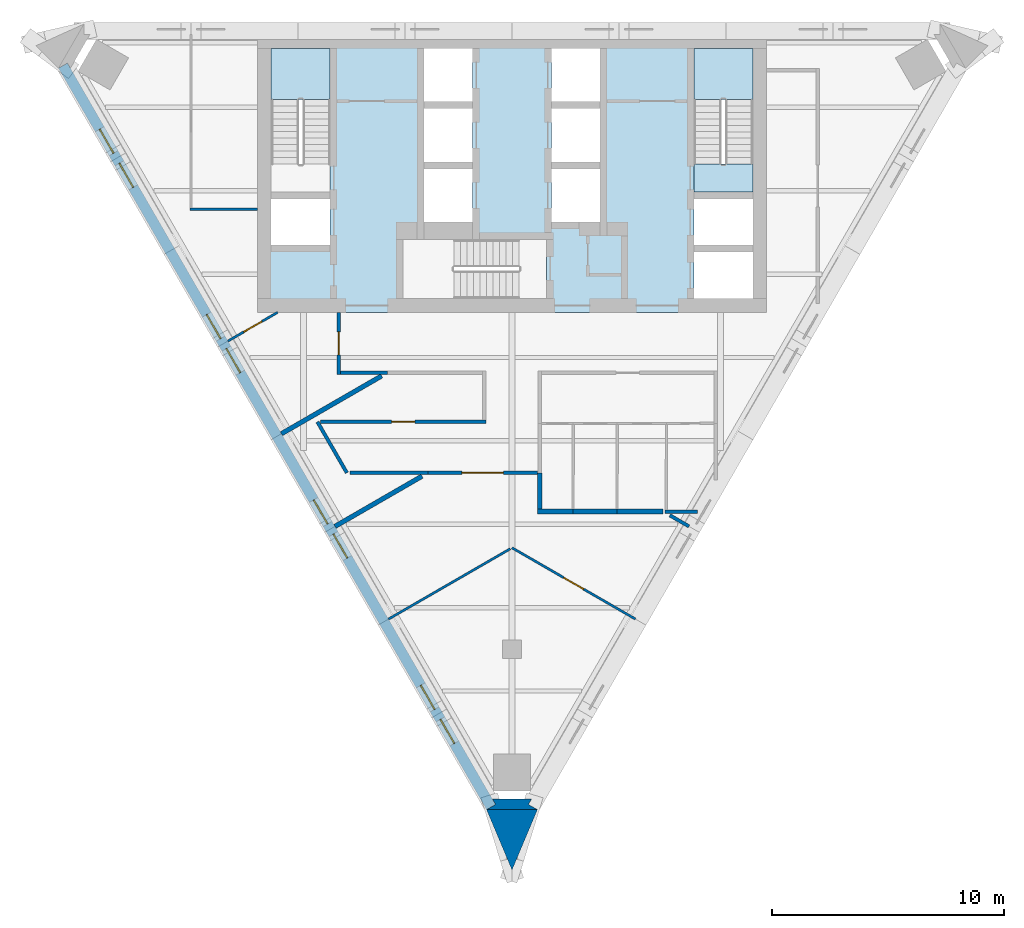
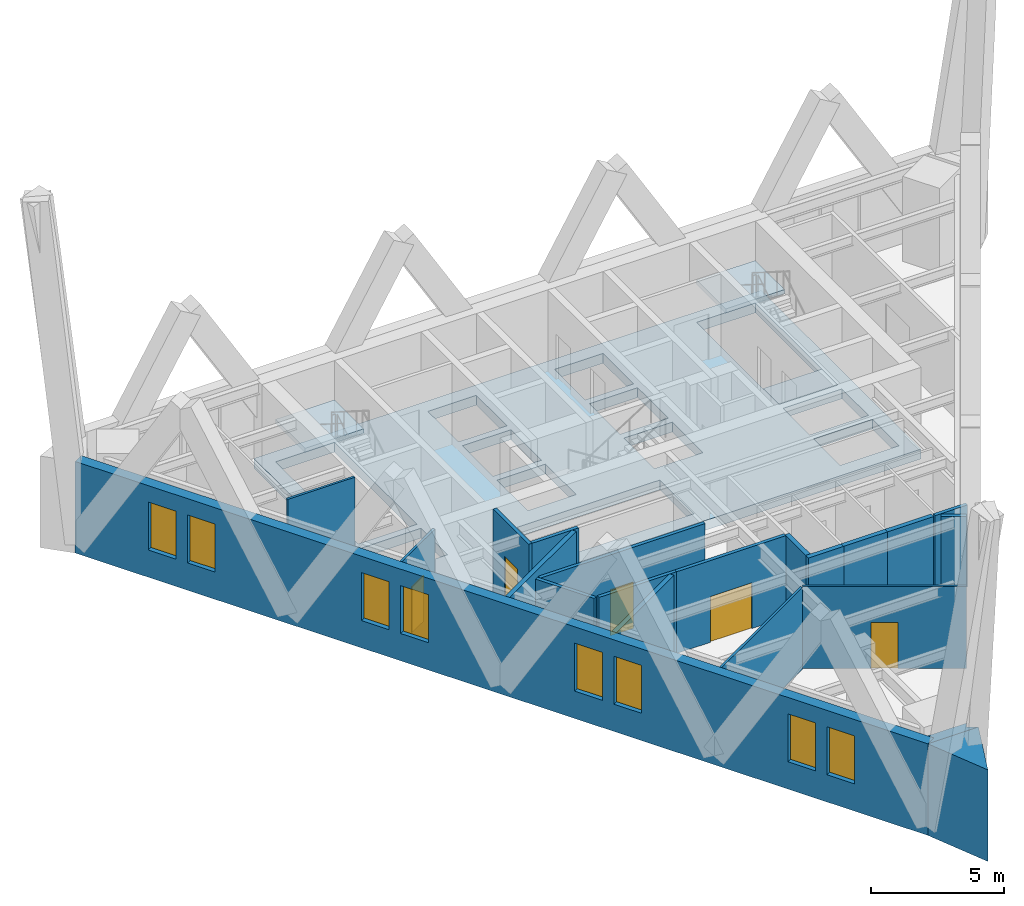
# One storey, part 2 of 6: 21 walls, 8 windows, 5 doors, 4 slabs, 13 openings, 2 elements without a shape of their own.
"""IFC4 building model written with IfcOpenShell, lengths in metres."""

from ifc_helpers import new_model, si_unit, direction, frame, frame_2d, origin, place, context, subcontext, project, spatial, polyline, rectangle, outline, extrude, material, layer, layer_set, type_object, element, fill, aggregate, save


model = new_model("IFC4")

# Units and contexts
model_context = context("Model", 3, precision=1e-05, world=origin(), true_north=direction((0.0, 1.0)))
body_context = subcontext(model_context, "Body", "Model", "MODEL_VIEW")
ifc_project = project(units=[si_unit("LENGTHUNIT", "METRE"), si_unit("AREAUNIT", "SQUARE_METRE"), si_unit("VOLUMEUNIT", "CUBIC_METRE"), si_unit("PLANEANGLEUNIT", "RADIAN"), si_unit("MASSUNIT", "GRAM", prefix="KILO")], contexts=[model_context])

# Site, building, storey
site_placement = place(None, origin())
site = spatial("IfcSite", under=ifc_project, at=site_placement, CompositionType="ELEMENT")
building_placement = place(site_placement, origin())
building = spatial("IfcBuilding", under=site, at=building_placement, Name="Aloe Facet Convention Tower", CompositionType="ELEMENT")
storey_placement = place(building_placement, frame((0.0, 0.0, 238.699951171875)))
storey = spatial("IfcBuildingStorey", under=building, at=storey_placement, Name="L58", CompositionType="ELEMENT", Elevation=238.699951171875)

# Slabs
ifc_material_1 = material(Name="Concrete C50/60", Category="concrete")
ifc_layer_1 = layer(ifc_material_1, 0.449951171875)
ifc_layer_set_1 = layer_set([ifc_layer_1], Name="CR-S-FLOOR450-C5060")
slab_type_1 = type_object("IfcSlabType", Name="CR-S-FLOOR450-C5060", PredefinedType="FLOOR", material=ifc_layer_set_1)
slab_1_placement = place(storey_placement, frame((0.0, 0.0, -0.449951171875)))
element("IfcSlab", 1, at=slab_1_placement, inside=storey, type_object=slab_type_1, Name="Stair landing floor L58", PredefinedType="FLOOR", context=body_context, shape_type="SweptSolid", body=[
    extrude(outline(polyline([(90.39990234375, 127.75), (90.39990234375, 128.951171875), (87.85009765625, 128.951171875), (87.85009765625, 127.75), (90.39990234375, 127.75)])), origin(), (0.0, 0.0, 1.0), 0.449951171875),
])
slab_2_placement = place(storey_placement, frame((0.0, 0.0, -0.449951171875)))
element("IfcSlab", 2, at=slab_2_placement, inside=storey, type_object=slab_type_1, Name="Core floor L58", PredefinedType="FLOOR", context=body_context, shape_type="SweptSolid", body=[
    extrude(outline(polyline([(71.85009765625, 134.550048828125), (72.75, 134.550048828125), (75.60009765625, 134.550048828125), (76.5, 134.550048828125), (78.0, 134.550048828125), (78.89990234375, 134.550048828125), (81.10009765625, 134.550048828125), (82.0, 134.550048828125), (83.5, 134.550048828125), (84.39990234375, 134.550048828125), (87.25, 134.550048828125), (88.14990234375, 134.550048828125), (91.0, 134.550048828125), (91.0, 128.050048828125), (91.0, 127.14990234375), (91.0, 125.75), (91.0, 124.85009765625), (91.0, 122.550048828125), (88.14990234375, 122.550048828125), (87.25, 122.550048828125), (85.300048828125, 122.550048828125), (84.39990234375, 122.550048828125), (82.10009765625, 122.550048828125), (81.199951171875, 122.550048828125), (75.60009765625, 122.550048828125), (74.699951171875, 122.550048828125), (72.75, 122.550048828125), (71.85009765625, 122.550048828125), (69.0, 122.550048828125), (69.0, 124.85009765625), (69.0, 125.75), (69.0, 127.14990234375), (69.0, 128.050048828125), (69.0, 134.550048828125), (71.85009765625, 134.550048828125)]), holes=[polyline([(80.298828125, 123.14990234375), (81.5, 123.14990234375), (81.5, 125.699951171875), (80.298828125, 125.699951171875), (75.300048828125, 125.699951171875), (75.300048828125, 123.14990234375), (80.298828125, 123.14990234375)]), polyline([(69.60009765625, 125.449951171875), (72.14990234375, 125.449951171875), (72.14990234375, 127.449951171875), (69.60009765625, 127.449951171875), (69.60009765625, 125.449951171875)]), polyline([(76.199951171875, 126.449951171875), (78.300048828125, 126.449951171875), (78.300048828125, 128.75), (76.199951171875, 128.75), (76.199951171875, 126.449951171875)]), polyline([(78.300048828125, 129.050048828125), (78.300048828125, 131.35009765625), (76.199951171875, 131.35009765625), (76.199951171875, 129.050048828125), (78.300048828125, 129.050048828125)]), polyline([(69.60009765625, 133.949951171875), (69.60009765625, 128.951171875), (69.60009765625, 127.75), (72.14990234375, 127.75), (72.14990234375, 128.951171875), (72.14990234375, 133.949951171875), (69.60009765625, 133.949951171875)]), polyline([(76.199951171875, 131.64990234375), (78.300048828125, 131.64990234375), (78.300048828125, 133.949951171875), (76.199951171875, 133.949951171875), (76.199951171875, 131.64990234375)]), polyline([(90.39990234375, 123.14990234375), (90.39990234375, 125.14990234375), (87.85009765625, 125.14990234375), (87.85009765625, 123.14990234375), (90.39990234375, 123.14990234375)]), polyline([(87.85009765625, 125.449951171875), (90.39990234375, 125.449951171875), (90.39990234375, 127.449951171875), (87.85009765625, 127.449951171875), (87.85009765625, 125.449951171875)]), polyline([(81.699951171875, 126.449951171875), (83.800048828125, 126.449951171875), (83.800048828125, 128.75), (81.699951171875, 128.75), (81.699951171875, 126.449951171875)]), polyline([(83.800048828125, 129.050048828125), (83.800048828125, 131.35009765625), (81.699951171875, 131.35009765625), (81.699951171875, 129.050048828125), (83.800048828125, 129.050048828125)]), polyline([(87.85009765625, 133.949951171875), (87.85009765625, 128.951171875), (87.85009765625, 127.75), (90.39990234375, 127.75), (90.39990234375, 128.951171875), (90.39990234375, 133.949951171875), (87.85009765625, 133.949951171875)]), polyline([(81.699951171875, 131.64990234375), (83.800048828125, 131.64990234375), (83.800048828125, 133.949951171875), (81.699951171875, 133.949951171875), (81.699951171875, 131.64990234375)])]), origin(), (0.0, 0.0, 1.0), 0.449951171875),
])

# Stair, slab
ifc_material_2 = material(Name="Concrete C50/60", Category="concrete")
stair_type = type_object("IfcStairType", Name="CR-ST-22R", PredefinedType="HALF_TURN_STAIR", material=ifc_material_2)
stair_1_placement = place(storey_placement, origin())
stair_1 = element("IfcStair", 3, at=stair_1_placement, inside=storey, type_object=stair_type, Name="L58 Protected exit stair ST1", PredefinedType="HALF_TURN_STAIR")
ifc_material_3 = material(Name="Concrete C50/60", Category="concrete")
ifc_layer_2 = layer(ifc_material_3, 0.199951171875)
ifc_layer_set_2 = layer_set([ifc_layer_2], Name="CR-SL-LANDING")
slab_type_2 = type_object("IfcSlabType", Name="CR-SL-LANDING", PredefinedType="LANDING", material=ifc_layer_set_2)
slab_3_placement = place(storey_placement, frame((0.0, 0.0, 1.75)))
slab_3 = element("IfcSlab", 4, at=slab_3_placement, type_object=slab_type_2, Name="ST1 landing 1", PredefinedType="LANDING", context=body_context, shape_type="SweptSolid", body=[
    extrude(outline(polyline([(72.14990234375, 131.75), (72.14990234375, 133.949951171875), (69.60009765625, 133.949951171875), (69.60009765625, 131.75), (72.14990234375, 131.75)])), origin(), (0.0, 0.0, 1.0), 0.199951171875),
])
aggregate(stair_1, [slab_3])

stair_2_placement = place(storey_placement, origin())
stair_2 = element("IfcStair", 5, at=stair_2_placement, inside=storey, type_object=stair_type, Name="L58 Protected exit stair ST2", PredefinedType="HALF_TURN_STAIR")
slab_4_placement = place(storey_placement, frame((0.0, 0.0, 1.75)))
slab_4 = element("IfcSlab", 6, at=slab_4_placement, type_object=slab_type_2, Name="ST2 landing 1", PredefinedType="LANDING", context=body_context, shape_type="SweptSolid", body=[
    extrude(outline(polyline([(90.39990234375, 131.75), (90.39990234375, 133.949951171875), (87.85009765625, 133.949951171875), (87.85009765625, 131.75), (90.39990234375, 131.75)])), origin(), (0.0, 0.0, 1.0), 0.199951171875),
])
aggregate(stair_2, [slab_4])

# Walls
ifc_material_4 = material(Name="Precast concrete C40/50", Category="concrete")
ifc_layer_3 = layer(ifc_material_4, 0.449951171875)
ifc_layer_set_3 = layer_set([ifc_layer_3], Name="EV-WALL-PIER")
wall_type_1 = type_object("IfcWallType", Name="EV-WALL-PIER", PredefinedType="SOLIDWALL", material=ifc_layer_set_3)
wall_1_placement = place(storey_placement, frame((0.0, 0.0, -0.449951171875)))
element("IfcWall", 7, at=wall_1_placement, inside=storey, type_object=wall_type_1, Name="EP-L58-B", PredefinedType="SOLIDWALL", context=body_context, shape_type="SweptSolid", body=[
    extrude(outline(polyline([(78.89990234375, 101.07568359375), (79.289794921875, 101.30078125), (79.159912109375, 101.52587890625), (80.840087890625, 101.52587890625), (80.710205078125, 101.30078125), (81.10009765625, 101.07568359375), (78.89990234375, 101.07568359375)])), origin(), (0.0, 0.0, 1.0), 4.199951171875),
])
ifc_material_5 = material(Name="Precast concrete C40/50", Category="concrete")
ifc_layer_4 = layer(ifc_material_5, 3.947998046875)
ifc_layer_set_4 = layer_set([ifc_layer_4], Name="EV-WALL-SPINE")
wall_type_2 = type_object("IfcWallType", Name="EV-WALL-SPINE", PredefinedType="SOLIDWALL", material=ifc_layer_set_4)
wall_2_placement = place(storey_placement, frame((0.0, 0.0, -0.449951171875)))
element("IfcWall", 8, at=wall_2_placement, inside=storey, type_object=wall_type_2, Name="SP-S-L58", PredefinedType="SOLIDWALL", context=body_context, shape_type="SweptSolid", body=[
    extrude(outline(polyline([(78.89990234375, 101.07568359375), (80.0, 98.463623046875), (81.10009765625, 101.07568359375), (78.89990234375, 101.07568359375)])), origin(), (0.0, 0.0, 1.0), 4.199951171875),
])

# Wall, openings, windows
ifc_material_6 = material(Name="Precast concrete C40/50", Category="concrete")
ifc_layer_5 = layer(ifc_material_6, 0.449951171875)
ifc_layer_set_5 = layer_set([ifc_layer_5], Name="EV-WALL-STONE")
wall_type_3 = type_object("IfcWallType", Name="EV-WALL-STONE", PredefinedType="SOLIDWALL", material=ifc_layer_set_5)
wall_3_placement = place(storey_placement, frame((60.608642578125, 133.207275390625, -0.449951171875), z_axis=(0.0, 0.0, 1.0), x_axis=(0.500002536638, -0.866023939251, 0.0)))
wall_3 = element("IfcWall", 9, at=wall_3_placement, inside=storey, type_object=wall_type_3, Name="EW-L58-W01", PredefinedType="SOLIDWALL", context=body_context, shape_type="SweptSolid", body=[
    extrude(outline(polyline([(36.972412109375, 0.0), (36.972412109375, 4.199951171875), (0.0, 4.199951171875), (0.0, 0.0), (36.972412109375, 0.0)])), frame((0.0, 0.22509765625, 0.0), z_axis=(0.0, -1.0, 0.0), x_axis=(1.0, 0.0, 0.0)), (0.0, 0.0, 1.0), 0.449951171875),
])
opening_1_placement = place(wall_3_placement, frame((3.171630859375, 0.0, 1.25)))
opening_1 = element("IfcOpeningElement", 10, at=opening_1_placement, cuts=wall_3, Name="Opening W-L58-W01", PredefinedType="OPENING", context=body_context, shape_type="SweptSolid", body=[
    extrude(rectangle(XDim=1.199951171875, YDim=2.199951171875, at=frame_2d((0.60009765625, 1.10009765625))), frame((0.0, 0.23486328125, 0.0), z_axis=(0.0, -1.0, 0.0), x_axis=(1.0, 0.0, 0.0)), (0.0, 0.0, 1.0), 0.469970703125),
])
opening_2_placement = place(wall_3_placement, frame((4.87158203125, 0.0, 1.25)))
opening_2 = element("IfcOpeningElement", 11, at=opening_2_placement, cuts=wall_3, Name="Opening W-L58-W02", PredefinedType="OPENING", context=body_context, shape_type="SweptSolid", body=[
    extrude(rectangle(XDim=1.199951171875, YDim=2.199951171875, at=frame_2d((0.60009765625, 1.10009765625))), frame((0.0, 0.23486328125, 0.0), z_axis=(0.0, -1.0, 0.0), x_axis=(1.0, 0.0, 0.0)), (0.0, 0.0, 1.0), 0.469970703125),
])
opening_3_placement = place(wall_3_placement, frame((12.41455078125, 0.0, 1.25)))
opening_3 = element("IfcOpeningElement", 12, at=opening_3_placement, cuts=wall_3, Name="Opening W-L58-W03", PredefinedType="OPENING", context=body_context, shape_type="SweptSolid", body=[
    extrude(rectangle(XDim=1.199951171875, YDim=2.199951171875, at=frame_2d((0.60009765625, 1.10009765625))), frame((0.0, 0.23486328125, 0.0), z_axis=(0.0, -1.0, 0.0), x_axis=(1.0, 0.0, 0.0)), (0.0, 0.0, 1.0), 0.469970703125),
])
opening_4_placement = place(wall_3_placement, frame((14.114501953125, 0.0, 1.25)))
opening_4 = element("IfcOpeningElement", 13, at=opening_4_placement, cuts=wall_3, Name="Opening W-L58-W04", PredefinedType="OPENING", context=body_context, shape_type="SweptSolid", body=[
    extrude(rectangle(XDim=1.199951171875, YDim=2.199951171875, at=frame_2d((0.60009765625, 1.10009765625))), frame((0.0, 0.23486328125, 0.0), z_axis=(0.0, -1.0, 0.0), x_axis=(1.0, 0.0, 0.0)), (0.0, 0.0, 1.0), 0.469970703125),
])
opening_5_placement = place(wall_3_placement, frame((21.65771484375, 0.0, 1.25)))
opening_5 = element("IfcOpeningElement", 14, at=opening_5_placement, cuts=wall_3, Name="Opening W-L58-W05", PredefinedType="OPENING", context=body_context, shape_type="SweptSolid", body=[
    extrude(rectangle(XDim=1.199951171875, YDim=2.199951171875, at=frame_2d((0.60009765625, 1.10009765625))), frame((0.0, 0.23486328125, 0.0), z_axis=(0.0, -1.0, 0.0), x_axis=(1.0, 0.0, 0.0)), (0.0, 0.0, 1.0), 0.469970703125),
])
opening_6_placement = place(wall_3_placement, frame((23.357666015625, 0.0, 1.25)))
opening_6 = element("IfcOpeningElement", 15, at=opening_6_placement, cuts=wall_3, Name="Opening W-L58-W06", PredefinedType="OPENING", context=body_context, shape_type="SweptSolid", body=[
    extrude(rectangle(XDim=1.199951171875, YDim=2.199951171875, at=frame_2d((0.60009765625, 1.10009765625))), frame((0.0, 0.23486328125, 0.0), z_axis=(0.0, -1.0, 0.0), x_axis=(1.0, 0.0, 0.0)), (0.0, 0.0, 1.0), 0.469970703125),
])
opening_7_placement = place(wall_3_placement, frame((30.90087890625, 0.0, 1.25)))
opening_7 = element("IfcOpeningElement", 16, at=opening_7_placement, cuts=wall_3, Name="Opening W-L58-W07", PredefinedType="OPENING", context=body_context, shape_type="SweptSolid", body=[
    extrude(rectangle(XDim=1.199951171875, YDim=2.199951171875, at=frame_2d((0.60009765625, 1.10009765625))), frame((0.0, 0.23486328125, 0.0), z_axis=(0.0, -1.0, 0.0), x_axis=(1.0, 0.0, 0.0)), (0.0, 0.0, 1.0), 0.469970703125),
])
opening_8_placement = place(wall_3_placement, frame((32.600830078125, 0.0, 1.25)))
opening_8 = element("IfcOpeningElement", 17, at=opening_8_placement, cuts=wall_3, Name="Opening W-L58-W08", PredefinedType="OPENING", context=body_context, shape_type="SweptSolid", body=[
    extrude(rectangle(XDim=1.199951171875, YDim=2.199951171875, at=frame_2d((0.60009765625, 1.10009765625))), frame((0.0, 0.23486328125, 0.0), z_axis=(0.0, -1.0, 0.0), x_axis=(1.0, 0.0, 0.0)), (0.0, 0.0, 1.0), 0.469970703125),
])
ifc_material_7 = material(Name="Aluminium frame, clear double glazing", Category="aluminium")
window_type = type_object("IfcWindowType", Name="EV-WIN-O12", PartitioningType="SINGLE_PANEL", PredefinedType="WINDOW", material=ifc_material_7)
window_1_placement = place(opening_1_placement, origin())
window_1 = element("IfcWindow", 18, at=window_1_placement, inside=storey, type_object=window_type, Name="W-L58-W01", OverallHeight=2.199951171875, OverallWidth=1.199951171875, PartitioningType="SINGLE_PANEL", PredefinedType="WINDOW", context=body_context, shape_type="SweptSolid", body=[
    extrude(rectangle(XDim=1.199951171875, YDim=2.199951171875, at=frame_2d((0.60009765625, 1.10009765625))), frame((0.0, 0.030029296875, 0.0), z_axis=(0.0, -1.0, 0.0), x_axis=(1.0, 0.0, 0.0)), (0.0, 0.0, 1.0), 0.06005859375),
])
fill(opening_1, window_1)
window_2_placement = place(opening_2_placement, origin())
window_2 = element("IfcWindow", 19, at=window_2_placement, inside=storey, type_object=window_type, Name="W-L58-W02", OverallHeight=2.199951171875, OverallWidth=1.199951171875, PartitioningType="SINGLE_PANEL", PredefinedType="WINDOW", context=body_context, shape_type="SweptSolid", body=[
    extrude(rectangle(XDim=1.199951171875, YDim=2.199951171875, at=frame_2d((0.60009765625, 1.10009765625))), frame((0.0, 0.030029296875, 0.0), z_axis=(0.0, -1.0, 0.0), x_axis=(1.0, 0.0, 0.0)), (0.0, 0.0, 1.0), 0.06005859375),
])
fill(opening_2, window_2)
window_3_placement = place(opening_3_placement, origin())
window_3 = element("IfcWindow", 20, at=window_3_placement, inside=storey, type_object=window_type, Name="W-L58-W03", OverallHeight=2.199951171875, OverallWidth=1.199951171875, PartitioningType="SINGLE_PANEL", PredefinedType="WINDOW", context=body_context, shape_type="SweptSolid", body=[
    extrude(rectangle(XDim=1.199951171875, YDim=2.199951171875, at=frame_2d((0.60009765625, 1.10009765625))), frame((0.0, 0.030029296875, 0.0), z_axis=(0.0, -1.0, 0.0), x_axis=(1.0, 0.0, 0.0)), (0.0, 0.0, 1.0), 0.06005859375),
])
fill(opening_3, window_3)
window_4_placement = place(opening_4_placement, origin())
window_4 = element("IfcWindow", 21, at=window_4_placement, inside=storey, type_object=window_type, Name="W-L58-W04", OverallHeight=2.199951171875, OverallWidth=1.199951171875, PartitioningType="SINGLE_PANEL", PredefinedType="WINDOW", context=body_context, shape_type="SweptSolid", body=[
    extrude(rectangle(XDim=1.199951171875, YDim=2.199951171875, at=frame_2d((0.60009765625, 1.10009765625))), frame((0.0, 0.030029296875, 0.0), z_axis=(0.0, -1.0, 0.0), x_axis=(1.0, 0.0, 0.0)), (0.0, 0.0, 1.0), 0.06005859375),
])
fill(opening_4, window_4)
window_5_placement = place(opening_5_placement, origin())
window_5 = element("IfcWindow", 22, at=window_5_placement, inside=storey, type_object=window_type, Name="W-L58-W05", OverallHeight=2.199951171875, OverallWidth=1.199951171875, PartitioningType="SINGLE_PANEL", PredefinedType="WINDOW", context=body_context, shape_type="SweptSolid", body=[
    extrude(rectangle(XDim=1.199951171875, YDim=2.199951171875, at=frame_2d((0.60009765625, 1.10009765625))), frame((0.0, 0.030029296875, 0.0), z_axis=(0.0, -1.0, 0.0), x_axis=(1.0, 0.0, 0.0)), (0.0, 0.0, 1.0), 0.06005859375),
])
fill(opening_5, window_5)
window_6_placement = place(opening_6_placement, origin())
window_6 = element("IfcWindow", 23, at=window_6_placement, inside=storey, type_object=window_type, Name="W-L58-W06", OverallHeight=2.199951171875, OverallWidth=1.199951171875, PartitioningType="SINGLE_PANEL", PredefinedType="WINDOW", context=body_context, shape_type="SweptSolid", body=[
    extrude(rectangle(XDim=1.199951171875, YDim=2.199951171875, at=frame_2d((0.60009765625, 1.10009765625))), frame((0.0, 0.030029296875, 0.0), z_axis=(0.0, -1.0, 0.0), x_axis=(1.0, 0.0, 0.0)), (0.0, 0.0, 1.0), 0.06005859375),
])
fill(opening_6, window_6)
window_7_placement = place(opening_7_placement, origin())
window_7 = element("IfcWindow", 24, at=window_7_placement, inside=storey, type_object=window_type, Name="W-L58-W07", OverallHeight=2.199951171875, OverallWidth=1.199951171875, PartitioningType="SINGLE_PANEL", PredefinedType="WINDOW", context=body_context, shape_type="SweptSolid", body=[
    extrude(rectangle(XDim=1.199951171875, YDim=2.199951171875, at=frame_2d((0.60009765625, 1.10009765625))), frame((0.0, 0.030029296875, 0.0), z_axis=(0.0, -1.0, 0.0), x_axis=(1.0, 0.0, 0.0)), (0.0, 0.0, 1.0), 0.06005859375),
])
fill(opening_7, window_7)
window_8_placement = place(opening_8_placement, origin())
window_8 = element("IfcWindow", 25, at=window_8_placement, inside=storey, type_object=window_type, Name="W-L58-W08", OverallHeight=2.199951171875, OverallWidth=1.199951171875, PartitioningType="SINGLE_PANEL", PredefinedType="WINDOW", context=body_context, shape_type="SweptSolid", body=[
    extrude(rectangle(XDim=1.199951171875, YDim=2.199951171875, at=frame_2d((0.60009765625, 1.10009765625))), frame((0.0, 0.030029296875, 0.0), z_axis=(0.0, -1.0, 0.0), x_axis=(1.0, 0.0, 0.0)), (0.0, 0.0, 1.0), 0.06005859375),
])
fill(opening_8, window_8)

# Walls
ifc_material_8 = material(Name="Gypsum board partition on steel studs", Category="steel")
ifc_layer_6 = layer(ifc_material_8, 0.14990234375)
ifc_layer_set_6 = layer_set([ifc_layer_6], Name="IN-W-CORR")
wall_type_4 = type_object("IfcWallType", Name="IN-W-CORR", PredefinedType="PARTITIONING", material=ifc_layer_set_6)
wall_4_placement = place(storey_placement, frame((86.816162109375, 113.78515625, 0.0), z_axis=(0.0, 0.0, 1.0), x_axis=(0.865951249342, -0.500128417272, 0.0)))
element("IfcWall", 26, at=wall_4_placement, inside=storey, type_object=wall_type_4, Name="Partition L58-W007", PredefinedType="PARTITIONING", context=body_context, shape_type="SweptSolid", body=[
    extrude(rectangle(XDim=0.954345703125, YDim=0.14990234375, at=frame_2d((0.47705078125, 0.0))), origin(), (0.0, 0.0, 1.0), 3.75),
])
wall_5_placement = place(storey_placement, frame((86.612060546875, 113.949951171875, 0.0), z_axis=(0.0, 0.0, 1.0), x_axis=(1.0, 0.0, 0.0)))
element("IfcWall", 27, at=wall_5_placement, inside=storey, type_object=wall_type_4, Name="Partition L58-W009", PredefinedType="PARTITIONING", context=body_context, shape_type="SweptSolid", body=[
    extrude(rectangle(XDim=1.400146484375, YDim=0.14990234375, at=frame_2d((0.7001953125, 0.0))), origin(), (0.0, 0.0, 1.0), 3.75),
])
wall_6_placement = place(storey_placement, frame((71.599609375, 117.8203125, 0.0), z_axis=(0.0, 0.0, 1.0), x_axis=(0.500035802948, -0.866004731956, 0.0)))
element("IfcWall", 28, at=wall_6_placement, inside=storey, type_object=wall_type_4, Name="Partition L58-W011", PredefinedType="PARTITIONING", context=body_context, shape_type="SweptSolid", body=[
    extrude(rectangle(XDim=2.540283203125, YDim=0.14990234375, at=frame_2d((1.27001953125, 0.0))), origin(), (0.0, 0.0, 1.0), 3.75),
])

# Wall, opening, door
wall_7_placement = place(storey_placement, frame((76.36279296875, 115.620361328125, 0.0), z_axis=(0.0, 0.0, 1.0), x_axis=(1.0, 0.0, 0.0)))
wall_7 = element("IfcWall", 29, at=wall_7_placement, inside=storey, type_object=wall_type_4, Name="Partition L58-W012", PredefinedType="PARTITIONING", context=body_context, shape_type="SweptSolid", body=[
    extrude(rectangle(XDim=4.7373046875, YDim=0.14990234375, at=frame_2d((2.36865234375, 0.0))), origin(), (0.0, 0.0, 1.0), 3.75),
])
opening_9_placement = place(wall_7_placement, frame((1.46875, 0.0, 0.0)))
opening_9 = element("IfcOpeningElement", 30, at=opening_9_placement, cuts=wall_7, Name="Opening L58-012", PredefinedType="OPENING", context=body_context, shape_type="SweptSolid", body=[
    extrude(rectangle(XDim=1.800048828125, YDim=2.10009765625, at=frame_2d((0.89990234375, 1.050048828125))), frame((0.0, 0.0849609375, 0.0), z_axis=(0.0, -1.0, 0.0), x_axis=(1.0, 0.0, 0.0)), (0.0, 0.0, 1.0), 0.169921875),
])
ifc_material_9 = material(Name="Glazed timber door pair FD30S", Category="wood")
door_type_1 = type_object("IfcDoorType", Name="IN-OFF-D-SUITE", OperationType="DOUBLE_DOOR_SINGLE_SWING", PredefinedType="DOOR", material=ifc_material_9)
door_1_placement = place(opening_9_placement, origin())
door_1 = element("IfcDoor", 31, at=door_1_placement, inside=storey, type_object=door_type_1, Name="Door L58-012", OperationType="SINGLE_SWING_LEFT", OverallHeight=2.10009765625, OverallWidth=1.800048828125, PredefinedType="DOOR", context=body_context, shape_type="SweptSolid", body=[
    extrude(rectangle(XDim=1.800048828125, YDim=2.10009765625, at=frame_2d((0.89990234375, 1.050048828125))), frame((0.0, 0.02490234375, 0.0), z_axis=(0.0, -1.0, 0.0), x_axis=(1.0, 0.0, 0.0)), (0.0, 0.0, 1.0), 0.050048828125),
])
fill(opening_9, door_1)

# Wall
wall_8_placement = place(storey_placement, frame((72.999755859375, 115.620361328125, 0.0), z_axis=(0.0, 0.0, 1.0), x_axis=(1.0, 0.0, 0.0)))
element("IfcWall", 32, at=wall_8_placement, inside=storey, type_object=wall_type_4, Name="Partition L58-W013", PredefinedType="PARTITIONING", context=body_context, shape_type="SweptSolid", body=[
    extrude(rectangle(XDim=3.363037109375, YDim=0.14990234375, at=frame_2d((1.681640625, 0.0))), origin(), (0.0, 0.0, 1.0), 3.75),
])

# Wall, opening, door
wall_9_placement = place(storey_placement, frame((71.7294921875, 117.8203125, 0.0), z_axis=(0.0, 0.0, 1.0), x_axis=(1.0, 0.0, 0.0)))
wall_9 = element("IfcWall", 33, at=wall_9_placement, inside=storey, type_object=wall_type_4, Name="Partition L58-W025", PredefinedType="PARTITIONING", context=body_context, shape_type="SweptSolid", body=[
    extrude(rectangle(XDim=7.1435546875, YDim=0.14990234375, at=frame_2d((3.57177734375, 0.0))), origin(), (0.0, 0.0, 1.0), 3.75),
])
opening_10_placement = place(wall_9_placement, frame((3.07177734375, 0.0, 0.0)))
opening_10 = element("IfcOpeningElement", 34, at=opening_10_placement, cuts=wall_9, Name="Opening L58-009", PredefinedType="OPENING", context=body_context, shape_type="SweptSolid", body=[
    extrude(rectangle(XDim=1.0, YDim=2.10009765625, at=frame_2d((0.5, 1.050048828125))), frame((0.0, 0.0849609375, 0.0), z_axis=(0.0, -1.0, 0.0), x_axis=(1.0, 0.0, 0.0)), (0.0, 0.0, 1.0), 0.169921875),
])
ifc_material_10 = material(Name="Timber door FD30S with vision panel", Category="wood")
door_type_2 = type_object("IfcDoorType", Name="IN-OFF-D-ENTRY", OperationType="SINGLE_SWING_LEFT", PredefinedType="DOOR", material=ifc_material_10)
door_2_placement = place(opening_10_placement, origin())
door_2 = element("IfcDoor", 35, at=door_2_placement, inside=storey, type_object=door_type_2, Name="Door L58-009", OperationType="SINGLE_SWING_LEFT", OverallHeight=2.10009765625, OverallWidth=1.0, PredefinedType="DOOR", context=body_context, shape_type="SweptSolid", body=[
    extrude(rectangle(XDim=1.0, YDim=2.10009765625, at=frame_2d((0.5, 1.050048828125))), frame((0.0, 0.02490234375, 0.0), z_axis=(0.0, -1.0, 0.0), x_axis=(1.0, 0.0, 0.0)), (0.0, 0.0, 1.0), 0.050048828125),
])
fill(opening_10, door_2)

wall_10_placement = place(storey_placement, frame((72.52490234375, 119.875, 0.0), z_axis=(0.0, 0.0, 1.0), x_axis=(0.0, 1.0, 0.0)))
wall_10 = element("IfcWall", 36, at=wall_10_placement, inside=storey, type_object=wall_type_4, Name="Partition L58-W028", PredefinedType="PARTITIONING", context=body_context, shape_type="SweptSolid", body=[
    extrude(rectangle(XDim=2.6748046875, YDim=0.14990234375, at=frame_2d((1.33740234375, 0.0))), origin(), (0.0, 0.0, 1.0), 3.75),
])
opening_11_placement = place(wall_10_placement, frame((0.83740234375, 0.0, 0.0)))
opening_11 = element("IfcOpeningElement", 37, at=opening_11_placement, cuts=wall_10, Name="Opening L58-008", PredefinedType="OPENING", context=body_context, shape_type="SweptSolid", body=[
    extrude(rectangle(XDim=1.0, YDim=2.10009765625, at=frame_2d((0.5, 1.050048828125))), frame((0.0, 0.0849609375, 0.0), z_axis=(0.0, -1.0, 0.0), x_axis=(1.0, 0.0, 0.0)), (0.0, 0.0, 1.0), 0.169921875),
])
door_3_placement = place(opening_11_placement, origin())
door_3 = element("IfcDoor", 38, at=door_3_placement, inside=storey, type_object=door_type_2, Name="Door L58-008", OperationType="SINGLE_SWING_LEFT", OverallHeight=2.10009765625, OverallWidth=1.0, PredefinedType="DOOR", context=body_context, shape_type="SweptSolid", body=[
    extrude(rectangle(XDim=1.0, YDim=2.10009765625, at=frame_2d((0.5, 1.050048828125))), frame((0.0, 0.02490234375, 0.0), z_axis=(0.0, -1.0, 0.0), x_axis=(1.0, 0.0, 0.0)), (0.0, 0.0, 1.0), 0.050048828125),
])
fill(opening_11, door_3)

# Wall
wall_11_placement = place(storey_placement, frame((72.60009765625, 119.949951171875, 0.0), z_axis=(0.0, 0.0, 1.0), x_axis=(1.0, 0.0, 0.0)))
element("IfcWall", 39, at=wall_11_placement, inside=storey, type_object=wall_type_4, Name="Partition L58-W029", PredefinedType="PARTITIONING", context=body_context, shape_type="SweptSolid", body=[
    extrude(rectangle(XDim=2.0185546875, YDim=0.14990234375, at=frame_2d((1.00927734375, 0.0))), origin(), (0.0, 0.0, 1.0), 3.75),
])

# Wall, opening, door
ifc_material_11 = material(Name="Gypsum board partition on steel studs", Category="steel")
ifc_layer_7 = layer(ifc_material_11, 0.10009765625)
ifc_layer_set_7 = layer_set([ifc_layer_7], Name="IN-W-PART")
wall_type_5 = type_object("IfcWallType", Name="IN-W-PART", PredefinedType="PARTITIONING", material=ifc_layer_set_7)
wall_12_placement = place(storey_placement, frame((80.0, 112.3837890625, 0.0), z_axis=(0.0, 0.0, 1.0), x_axis=(0.866021154418, -0.500007360046, 0.0)))
wall_12 = element("IfcWall", 40, at=wall_12_placement, inside=storey, type_object=wall_type_5, Name="Partition L58-W001", PredefinedType="PARTITIONING", context=body_context, shape_type="SweptSolid", body=[
    extrude(rectangle(XDim=6.15673828125, YDim=0.10009765625, at=frame_2d((3.078369140625, 0.0))), origin(), (0.0, 0.0, 1.0), 3.75),
])
opening_12_placement = place(wall_12_placement, frame((2.578369140625, 0.0, 0.0)))
opening_12 = element("IfcOpeningElement", 41, at=opening_12_placement, cuts=wall_12, Name="Opening L58-011", PredefinedType="OPENING", context=body_context, shape_type="SweptSolid", body=[
    extrude(rectangle(XDim=1.0, YDim=2.10009765625, at=frame_2d((0.5, 1.050048828125))), frame((0.0, 0.06005859375, 0.0), z_axis=(0.0, -1.0, 0.0), x_axis=(1.0, 0.0, 0.0)), (0.0, 0.0, 1.0), 0.1201171875),
])
ifc_material_12 = material(Name="Timber door", Category="wood")
door_type_3 = type_object("IfcDoorType", Name="IN-OFF-D-WIDE", OperationType="SINGLE_SWING_LEFT", PredefinedType="DOOR", material=ifc_material_12)
door_4_placement = place(opening_12_placement, origin())
door_4 = element("IfcDoor", 42, at=door_4_placement, inside=storey, type_object=door_type_3, Name="Door L58-011", OperationType="SINGLE_SWING_LEFT", OverallHeight=2.10009765625, OverallWidth=1.0, PredefinedType="DOOR", context=body_context, shape_type="SweptSolid", body=[
    extrude(rectangle(XDim=1.0, YDim=2.10009765625, at=frame_2d((0.5, 1.050048828125))), frame((0.0, 0.02490234375, 0.0), z_axis=(0.0, -1.0, 0.0), x_axis=(1.0, 0.0, 0.0)), (0.0, 0.0, 1.0), 0.050048828125),
])
fill(opening_12, door_4)

# Wall
wall_13_placement = place(storey_placement, frame((74.668212890625, 109.305419921875, 0.0), z_axis=(0.0, 0.0, 1.0), x_axis=(0.866016800201, 0.500014901547, 0.0)))
element("IfcWall", 43, at=wall_13_placement, inside=storey, type_object=wall_type_5, Name="Partition L58-W002", PredefinedType="PARTITIONING", context=body_context, shape_type="SweptSolid", body=[
    extrude(rectangle(XDim=6.070068359375, YDim=0.10009765625, at=frame_2d((3.03515625, 0.0))), origin(), (0.0, 0.0, 1.0), 3.75),
])

# Wall, opening, door
wall_14_placement = place(storey_placement, frame((67.73583984375, 121.312744140625, 0.0), z_axis=(0.0, 0.0, 1.0), x_axis=(0.866024577697, 0.500001430823, 0.0)))
wall_14 = element("IfcWall", 44, at=wall_14_placement, inside=storey, type_object=wall_type_5, Name="Partition L58-W032", PredefinedType="PARTITIONING", context=body_context, shape_type="SweptSolid", body=[
    extrude(rectangle(XDim=2.474609375, YDim=0.10009765625, at=frame_2d((1.2373046875, 0.0))), origin(), (0.0, 0.0, 1.0), 3.75),
])
opening_13_placement = place(wall_14_placement, frame((0.787353515625, 0.0, 0.0)))
opening_13 = element("IfcOpeningElement", 45, at=opening_13_placement, cuts=wall_14, Name="Opening L58-007", PredefinedType="OPENING", context=body_context, shape_type="SweptSolid", body=[
    extrude(rectangle(XDim=0.89990234375, YDim=2.10009765625, at=frame_2d((0.449951171875, 1.050048828125))), frame((0.0, 0.06005859375, 0.0), z_axis=(0.0, -1.0, 0.0), x_axis=(1.0, 0.0, 0.0)), (0.0, 0.0, 1.0), 0.1201171875),
])
ifc_material_13 = material(Name="Timber door", Category="wood")
door_type_4 = type_object("IfcDoorType", Name="IN-OFF-D-ROOM", OperationType="SINGLE_SWING_LEFT", PredefinedType="DOOR", material=ifc_material_13)
door_5_placement = place(opening_13_placement, origin())
door_5 = element("IfcDoor", 46, at=door_5_placement, inside=storey, type_object=door_type_4, Name="Door L58-007", OperationType="SINGLE_SWING_LEFT", OverallHeight=2.10009765625, OverallWidth=0.89990234375, PredefinedType="DOOR", context=body_context, shape_type="SweptSolid", body=[
    extrude(rectangle(XDim=0.89990234375, YDim=2.10009765625, at=frame_2d((0.449951171875, 1.050048828125))), frame((0.0, 0.02490234375, 0.0), z_axis=(0.0, -1.0, 0.0), x_axis=(1.0, 0.0, 0.0)), (0.0, 0.0, 1.0), 0.050048828125),
])
fill(opening_13, door_5)

# Walls
wall_15_placement = place(storey_placement, frame((66.08740234375, 127.0, 0.0), z_axis=(0.0, 0.0, 1.0), x_axis=(1.0, 0.0, 0.0)))
element("IfcWall", 47, at=wall_15_placement, inside=storey, type_object=wall_type_5, Name="Partition L58-W034", PredefinedType="PARTITIONING", context=body_context, shape_type="SweptSolid", body=[
    extrude(rectangle(XDim=2.91259765625, YDim=0.10009765625, at=frame_2d((1.456298828125, 0.0))), origin(), (0.0, 0.0, 1.0), 3.75),
])
ifc_material_14 = material(Name="Gypsum board partition on steel studs", Category="steel")
ifc_layer_8 = layer(ifc_material_14, 0.199951171875)
ifc_layer_set_8 = layer_set([ifc_layer_8], Name="IN-W-PARTY")
wall_type_6 = type_object("IfcWallType", Name="IN-W-PARTY", PredefinedType="PARTITIONING", material=ifc_layer_set_8)
wall_16_placement = place(storey_placement, frame((72.357421875, 113.307861328125, 0.0), z_axis=(0.0, 0.0, 1.0), x_axis=(0.866032891431, 0.499987030792, 0.0)))
element("IfcWall", 48, at=wall_16_placement, inside=storey, type_object=wall_type_6, Name="Partition L58-W003", PredefinedType="PARTITIONING", context=body_context, shape_type="SweptSolid", body=[
    extrude(rectangle(XDim=4.33984375, YDim=0.199951171875, at=frame_2d((2.169921875, 0.0))), origin(), (0.0, 0.0, 1.0), 3.75),
])
wall_17_placement = place(storey_placement, frame((81.10009765625, 113.949951171875, 0.0), z_axis=(0.0, 0.0, 1.0), x_axis=(1.0, 0.0, 0.0)))
element("IfcWall", 49, at=wall_17_placement, inside=storey, type_object=wall_type_6, Name="Partition L58-W004", PredefinedType="PARTITIONING", context=body_context, shape_type="SweptSolid", body=[
    extrude(rectangle(XDim=1.533935546875, YDim=0.199951171875, at=frame_2d((0.76708984375, 0.0))), origin(), (0.0, 0.0, 1.0), 3.75),
])
wall_18_placement = place(storey_placement, frame((82.634033203125, 113.949951171875, 0.0), z_axis=(0.0, 0.0, 1.0), x_axis=(1.0, 0.0, 0.0)))
element("IfcWall", 50, at=wall_18_placement, inside=storey, type_object=wall_type_6, Name="Partition L58-W005", PredefinedType="PARTITIONING", context=body_context, shape_type="SweptSolid", body=[
    extrude(rectangle(XDim=1.89990234375, YDim=0.199951171875, at=frame_2d((0.949951171875, 0.0))), origin(), (0.0, 0.0, 1.0), 3.75),
])
wall_19_placement = place(storey_placement, frame((84.533935546875, 113.949951171875, 0.0), z_axis=(0.0, 0.0, 1.0), x_axis=(1.0, 0.0, 0.0)))
element("IfcWall", 51, at=wall_19_placement, inside=storey, type_object=wall_type_6, Name="Partition L58-W006", PredefinedType="PARTITIONING", context=body_context, shape_type="SweptSolid", body=[
    extrude(rectangle(XDim=1.99658203125, YDim=0.199951171875, at=frame_2d((0.998291015625, 0.0))), origin(), (0.0, 0.0, 1.0), 3.75),
])
wall_20_placement = place(storey_placement, frame((81.199951171875, 114.050048828125, 0.0), z_axis=(0.0, 0.0, 1.0), x_axis=(0.0, 1.0, 0.0)))
element("IfcWall", 52, at=wall_20_placement, inside=storey, type_object=wall_type_6, Name="Partition L58-W014", PredefinedType="PARTITIONING", context=body_context, shape_type="SweptSolid", body=[
    extrude(rectangle(XDim=1.5703125, YDim=0.199951171875, at=frame_2d((0.78515625, 0.0))), origin(), (0.0, 0.0, 1.0), 3.75),
])
wall_21_placement = place(storey_placement, frame((70.046630859375, 117.310302734375, 0.0), z_axis=(0.0, 0.0, 1.0), x_axis=(0.866032544947, 0.499987630939, 0.0)))
element("IfcWall", 53, at=wall_21_placement, inside=storey, type_object=wall_type_6, Name="Partition L58-W015", PredefinedType="PARTITIONING", context=body_context, shape_type="SweptSolid", body=[
    extrude(rectangle(XDim=4.994384765625, YDim=0.199951171875, at=frame_2d((2.4970703125, 0.0))), origin(), (0.0, 0.0, 1.0), 3.75),
])

save(model, "model.ifc")
